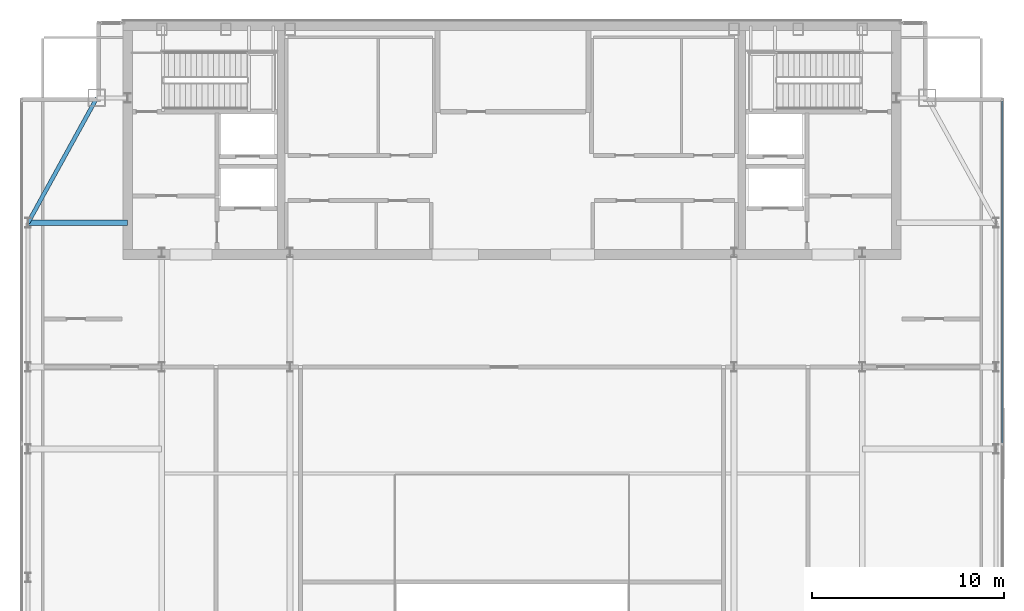
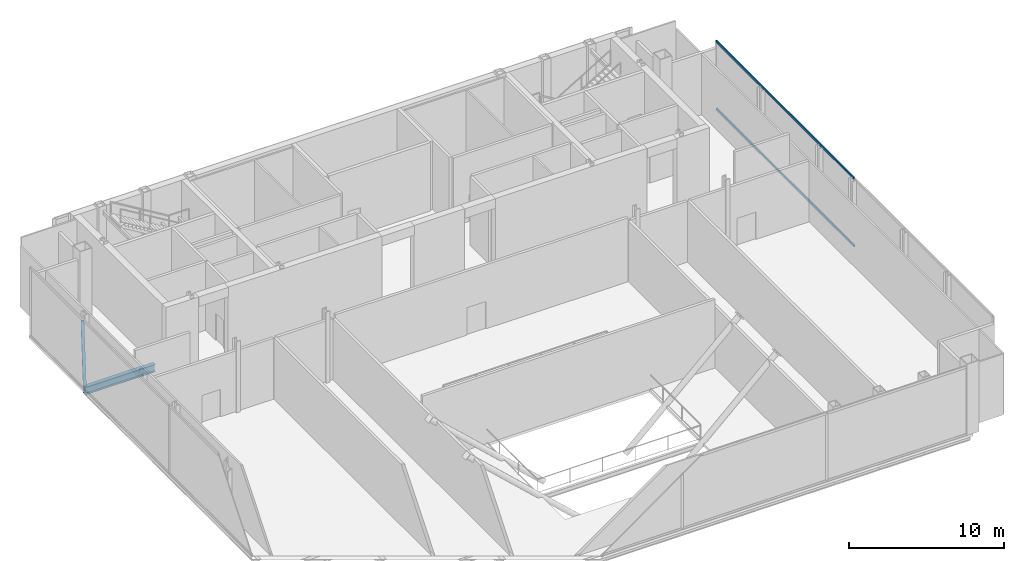
# One storey, part 16 of 23: 2 beams, 2 members, 1 element without a shape of its own.
"""IFC4 building model written with IfcOpenShell, lengths in metres."""

import ifcopenshell
import ifcopenshell.guid

model = None  # the IFC model being written
_history = None  # IfcOwnerHistory: only IFC2X3 demands one
_inside = {}  # id of a spatial element -> (the spatial element, [elements in it])
_under = {}  # id of a project, library or spatial element -> (it, [spatial elements below it])
_declared = {}  # id of a project -> (the project, [libraries it declares])
_typed = {}  # id of a type object -> (the type object, [elements of that type])
_made_of = {}  # id of a material, layer set ... -> (it, [elements and type objects made of it])


def new_model(schema):
    """Start an empty IFC model of exactly this schema.

    Asked for "IFC4X3", IfcOpenShell would pick the latest addendum, in which some entities
    have other attributes; the version numbers below select the first issue.
    IFC2X3 requires an IfcOwnerHistory on every rooted entity: one is made here for all.
    """
    global model, _history
    if schema == "IFC4X3":
        model = ifcopenshell.file(schema_version=(4, 3, 0, 0))
    else:
        model = ifcopenshell.file(schema=schema)
    _inside.clear()
    _under.clear()
    _declared.clear()
    _typed.clear()
    _made_of.clear()
    _history = None
    if model.schema == "IFC2X3":
        org = make("IfcOrganization", Name="unknown")
        user = make(
            "IfcPersonAndOrganization",
            ThePerson=make("IfcPerson", FamilyName="unknown"),
            TheOrganization=org,
        )
        app = make(
            "IfcApplication",
            ApplicationDeveloper=org,
            Version="unknown",
            ApplicationFullName="unknown",
            ApplicationIdentifier="unknown",
        )
        _history = make(
            "IfcOwnerHistory",
            OwningUser=user,
            OwningApplication=app,
            ChangeAction="ADDED",
            CreationDate=0,
        )
    return model


def make(cls, **values):
    """One entity of the class cls with the attributes given. An attribute that is None is left unset."""
    return model.create_entity(
        cls, **{name: value for name, value in values.items() if value is not None}
    )


def rooted(cls, **values):
    """An entity with a GlobalId (a new one), such as an element, a storey or a relation."""
    return make(cls, GlobalId=ifcopenshell.guid.new(), OwnerHistory=_history, **values)


def si_unit(unit_type, name, prefix=None):
    """IfcSIUnit, for example si_unit("LENGTHUNIT", "METRE", prefix="MILLI")."""
    return make("IfcSIUnit", UnitType=unit_type, Prefix=prefix, Name=name)


def assignment(units):
    """IfcUnitAssignment: the units of a project."""
    return None if units is None else make("IfcUnitAssignment", Units=units)


def point(xyz):
    """IfcCartesianPoint."""
    return None if xyz is None else make("IfcCartesianPoint", Coordinates=xyz)


def direction(xyz):
    """IfcDirection."""
    return None if xyz is None else make("IfcDirection", DirectionRatios=xyz)


def frame(location, z_axis=None, x_axis=None):
    """IfcAxis2Placement3D, a coordinate frame: its origin and axes. An axis left out is left unset."""
    return make(
        "IfcAxis2Placement3D",
        Location=point(location),
        Axis=direction(z_axis),
        RefDirection=direction(x_axis),
    )


def frame_2d(location, x_axis=None):
    """IfcAxis2Placement2D, a coordinate frame in the plane: its origin and x axis."""
    return make(
        "IfcAxis2Placement2D", Location=point(location), RefDirection=direction(x_axis)
    )


def origin():
    """The frame at (0, 0, 0) with its axes left unset."""
    return frame((0.0, 0.0, 0.0))


def origin_2d():
    """The frame at (0, 0) in the plane with its x axis left unset."""
    return frame_2d((0.0, 0.0))


def place(relative_to, where):
    """IfcLocalPlacement: puts the frame where relative to a parent placement (None: the world)."""
    return make(
        "IfcLocalPlacement", PlacementRelTo=relative_to, RelativePlacement=where
    )


def context(
    kind, dimensions, precision=None, world=None, true_north=None, identifier=None
):
    """IfcGeometricRepresentationContext, for example the 3D "Model" context."""
    return make(
        "IfcGeometricRepresentationContext",
        ContextIdentifier=identifier,
        ContextType=kind,
        CoordinateSpaceDimension=dimensions,
        Precision=precision,
        WorldCoordinateSystem=world,
        TrueNorth=true_north,
    )


def subcontext(parent, identifier, kind, view, scale=None):
    """IfcGeometricRepresentationSubContext, for example "Body" below "Model"."""
    return make(
        "IfcGeometricRepresentationSubContext",
        ContextIdentifier=identifier,
        ContextType=kind,
        ParentContext=parent,
        TargetScale=scale,
        TargetView=view,
    )


def project(units=None, contexts=None):
    """IfcProject with its units and contexts."""
    return rooted(
        "IfcProject",
        Name="project",
        RepresentationContexts=contexts,
        UnitsInContext=assignment(units),
    )


def spatial(cls, under=None, at=None, **own):
    """A site, building, storey or space (cls), placed at a placement, below another one or the project."""
    s = rooted(cls, ObjectPlacement=at, **own)
    if under is not None:
        _under.setdefault(under.id(), (under, []))[1].append(s)
    return s


def profile(cls, at=None, kind="AREA", **sizes):
    """A parametric profile (cls). Its sizes go by their IFC names, for example OverallWidth=200.0."""
    return make(cls, ProfileType=kind, Position=at, **sizes)


def hollow_rectangle(**sizes):
    """IfcRectangleHollowProfileDef."""
    return profile("IfcRectangleHollowProfileDef", **sizes)


def i_section(**sizes):
    """IfcIShapeProfileDef."""
    return profile("IfcIShapeProfileDef", **sizes)


def extrude(swept, where, along, depth):
    """IfcExtrudedAreaSolid: the profile swept, set in the frame where, extruded along a direction by depth."""
    return make(
        "IfcExtrudedAreaSolid",
        SweptArea=swept,
        Position=where,
        ExtrudedDirection=direction(along),
        Depth=depth,
    )


def shape(context_of_items, identifier, shape_type, items):
    """IfcShapeRepresentation: the items that make up one representation, for example the "Body"."""
    return make(
        "IfcShapeRepresentation",
        ContextOfItems=context_of_items,
        RepresentationIdentifier=identifier,
        RepresentationType=shape_type,
        Items=items,
    )


def material(Name=None, Category=None):
    """IfcMaterial."""
    return make("IfcMaterial", Name=Name, Category=Category)


def material_profile(
    of_material, cross_section, Name=None, Category=None, Priority=None
):
    """IfcMaterialProfile: a cross section and its material."""
    return make(
        "IfcMaterialProfile",
        Name=Name,
        Material=of_material,
        Profile=cross_section,
        Priority=Priority,
        Category=Category,
    )


def profile_set(profiles, Name=None, composite=None):
    """IfcMaterialProfileSet."""
    return make(
        "IfcMaterialProfileSet",
        Name=Name,
        MaterialProfiles=profiles,
        CompositeProfile=composite,
    )


def made_of(thing, what):
    """Note that an element or type object is made of a material, layer set ...; save() writes the relation."""
    if what is not None:
        _made_of.setdefault(what.id(), (what, []))[1].append(thing)
    return thing


def type_object(cls, material=None, **own):
    """A type object (cls), such as IfcWallType, which elements share."""
    return made_of(rooted(cls, **own), material)


def element(
    cls,
    number,
    at=None,
    inside=None,
    cuts=None,
    type_object=None,
    material=None,
    context=None,
    identifier="Body",
    shape_type=None,
    held_by="IfcProductDefinitionShape",
    body=None,
    shapes=None,
    **own,
):
    """One element of the class cls, such as IfcWall. Its Tag is "e" and its number.

    at: its placement. inside: the storey or other place that contains it. cuts: it is an
    opening in that element (IfcRelVoidsElement). A single representation is given by context,
    identifier, shape_type and body (its items); several are given by shapes. held_by: the class
    of the entity that holds the representations. save() writes the other relations.
    """
    e = rooted(cls, Tag="e%d" % number, ObjectPlacement=at, **own)
    if body is not None:
        shapes = [shape(context, identifier, shape_type, body)]
    if shapes is not None:
        e.Representation = make(held_by, Representations=shapes)
    if inside is not None:
        _inside.setdefault(inside.id(), (inside, []))[1].append(e)
    if cuts is not None:
        rooted(
            "IfcRelVoidsElement", RelatingBuildingElement=cuts, RelatedOpeningElement=e
        )
    if type_object is not None:
        _typed.setdefault(type_object.id(), (type_object, []))[1].append(e)
    return made_of(e, material)


def aggregate(whole, parts):
    """IfcRelAggregates: a whole, such as a stair, and the parts it consists of."""
    return rooted("IfcRelAggregates", RelatingObject=whole, RelatedObjects=parts)


def save(model, path):
    """Write the relations noted so far, then the file.

    IfcRelAggregates (storeys below a building ...), IfcRelContainedInSpatialStructure (elements
    in a storey), IfcRelDefinesByType, IfcRelAssociatesMaterial and IfcRelDeclares: one each for
    every whole, place, type object, material and project.
    """
    for whole, parts in _under.values():
        aggregate(whole, parts)
    for where, things in _inside.values():
        rooted(
            "IfcRelContainedInSpatialStructure",
            RelatedElements=things,
            RelatingStructure=where,
        )
    for kind, things in _typed.values():
        rooted("IfcRelDefinesByType", RelatedObjects=things, RelatingType=kind)
    for what, things in _made_of.values():
        rooted("IfcRelAssociatesMaterial", RelatedObjects=things, RelatingMaterial=what)
    for by, libraries in _declared.values():
        rooted("IfcRelDeclares", RelatingContext=by, RelatedDefinitions=libraries)
    model.write(path)


model = new_model("IFC4")

# Units and contexts
model_context = context("Model", 3, precision=1e-05, world=origin(), true_north=direction((0.0, 1.0)))
body_context = subcontext(model_context, "Body", "Model", "MODEL_VIEW")
ifc_project = project(units=[si_unit("LENGTHUNIT", "METRE"), si_unit("AREAUNIT", "SQUARE_METRE"), si_unit("VOLUMEUNIT", "CUBIC_METRE"), si_unit("PLANEANGLEUNIT", "RADIAN"), si_unit("MASSUNIT", "GRAM", prefix="KILO")], contexts=[model_context])

# Site, building, storey
site_placement = place(None, origin())
site = spatial("IfcSite", under=ifc_project, at=site_placement, CompositionType="ELEMENT")
building_placement = place(site_placement, origin())
building = spatial("IfcBuilding", under=site, at=building_placement, Name="Khoronbel Lancet Exchange", CompositionType="ELEMENT")
storey_placement = place(building_placement, frame((0.0, 0.0, 356.199951171875)))
storey = spatial("IfcBuildingStorey", under=building, at=storey_placement, Name="L92", CompositionType="ELEMENT", Elevation=356.199951171875)

# Beams
ifc_material_1 = material(Name="Steel S355", Category="steel")
ifc_material_profile_1 = material_profile(ifc_material_1, i_section(OverallWidth=0.300048828125, OverallDepth=0.60009765625, WebThickness=0.015380859375, FlangeThickness=0.030029296875, at=origin_2d()), Name="HEB 600")
ifc_profile_set_1 = profile_set([ifc_material_profile_1], Name="Steel S355")
beam_type_1 = type_object("IfcBeamType", Name="BM-BG5", PredefinedType="BEAM", material=ifc_profile_set_1)
beam_1_placement = place(storey_placement, frame((11.27001953125, 43.199951171875, -0.5), z_axis=(1.0, 0.0, 0.0), x_axis=(0.0, 1.0, 0.0)))
element("IfcBeam", 1, at=beam_1_placement, inside=storey, type_object=beam_type_1, Name="Level L92 west lens tie girder LG3W", PredefinedType="BEAM", context=body_context, shape_type="SweptSolid", body=[
    extrude(i_section(OverallWidth=0.300048828125, OverallDepth=0.60009765625, WebThickness=0.015380859375, FlangeThickness=0.030029296875, at=origin_2d()), origin(), (0.0, 0.0, 1.0), 5.179931640625),
])
ifc_material_profile_2 = material_profile(ifc_material_1, i_section(OverallWidth=0.2099609375, OverallDepth=0.550048828125, WebThickness=0.010986328125, FlangeThickness=0.01708984375, at=origin_2d()), Name="IPE 550")
ifc_profile_set_2 = profile_set([ifc_material_profile_2], Name="Steel S355")
beam_type_2 = type_object("IfcBeamType", Name="BM-BSP3", PredefinedType="SPANDREL", material=ifc_profile_set_2)
beam_2_placement = place(storey_placement, frame((14.85009765625, 49.699951171875, -0.474853515625), z_axis=(-0.482444051088, -0.875926787791, 0.0), x_axis=(0.875926787791, -0.482444051088, 0.0)))
element("IfcBeam", 2, at=beam_2_placement, inside=storey, type_object=beam_type_2, Name="Level L92 perimeter spandrel beam SP14", PredefinedType="SPANDREL", context=body_context, shape_type="SweptSolid", body=[
    extrude(i_section(OverallWidth=0.2099609375, OverallDepth=0.550048828125, WebThickness=0.010986328125, FlangeThickness=0.01708984375, at=origin_2d()), origin(), (0.0, 0.0, 1.0), 7.420654296875),
])

# Curtain wall, members
ifc_material_2 = material(Name="Low-E Solar Control Insulating Glass", Category="glass")
curtain_wall_type = type_object("IfcCurtainWallType", Name="CW-6", PredefinedType="NOTDEFINED", material=ifc_material_2)
curtain_wall_placement = place(storey_placement, origin())
curtain_wall = element("IfcCurtainWall", 3, at=curtain_wall_placement, inside=storey, type_object=curtain_wall_type, Name="Unitised curtain wall CW-L92-E09", PredefinedType="NOTDEFINED")
ifc_material_3 = material(Name="Bronze-Anodised Aluminium 6063-T6", Category="aluminium")
ifc_material_profile_3 = material_profile(ifc_material_3, hollow_rectangle(XDim=0.0849609375, YDim=0.179931640625, WallThickness=0.0048828125, at=origin_2d()), Name="ALU TRANSOM 85x180")
ifc_profile_set_3 = profile_set([ifc_material_profile_3], Name="Bronze-Anodised Aluminium 6063-T6")
member_type = type_object("IfcMemberType", Name="MEM-CWT1", PredefinedType="USERDEFINED", material=ifc_profile_set_3)
member_1_placement = place(storey_placement, frame((61.9599609375, 49.534912109375, 0.04248046875), z_axis=(0.0, -1.0, 0.0), x_axis=(1.0, 0.0, 0.0)))
member_1 = element("IfcMember", 4, at=member_1_placement, type_object=member_type, Name="CW6 transom 1.1", ObjectType="TRANSOM", PredefinedType="USERDEFINED", context=body_context, shape_type="SweptSolid", body=[
    extrude(hollow_rectangle(XDim=0.0849609375, YDim=0.179931640625, WallThickness=0.0048828125, at=origin_2d()), origin(), (0.0, 0.0, 1.0), 17.79736328125),
])
member_2_placement = place(storey_placement, frame((61.9599609375, 49.534912109375, 5.357666015625), z_axis=(0.0, -1.0, 0.0), x_axis=(1.0, 0.0, 0.0)))
member_2 = element("IfcMember", 5, at=member_2_placement, type_object=member_type, Name="CW6 transom 1.2", ObjectType="TRANSOM", PredefinedType="USERDEFINED", context=body_context, shape_type="SweptSolid", body=[
    extrude(hollow_rectangle(XDim=0.0849609375, YDim=0.179931640625, WallThickness=0.0048828125, at=origin_2d()), origin(), (0.0, 0.0, 1.0), 17.79736328125),
])
aggregate(curtain_wall, [member_1, member_2])

save(model, "model.ifc")
